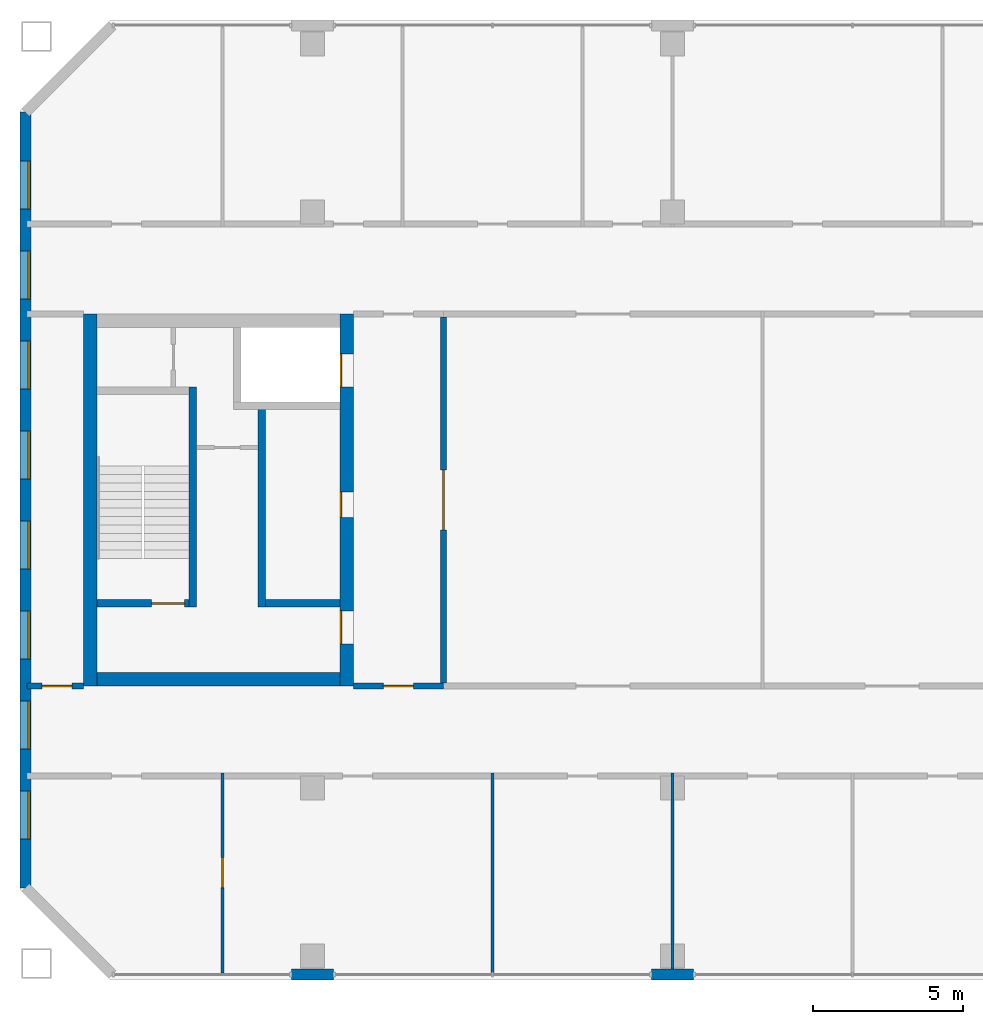
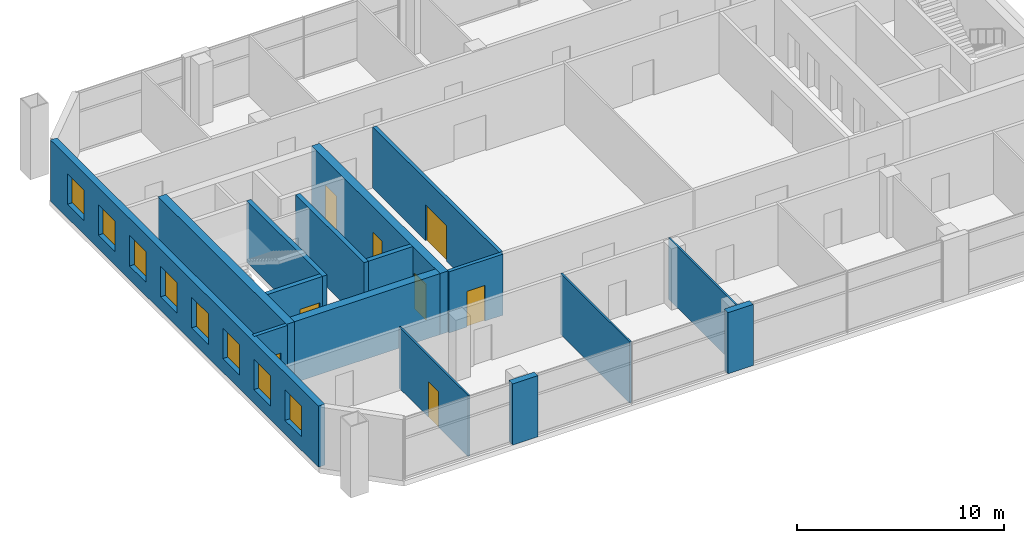
# One storey, part 10 of 19: 16 walls, 8 doors, 8 windows, 16 openings.
"""IFC4 building model written with IfcOpenShell, lengths in metres."""

from ifc_helpers import new_model, si_unit, direction, frame, frame_2d, origin, place, context, subcontext, project, spatial, rectangle, extrude, material, layer, layer_set, type_object, element, fill, save


model = new_model("IFC4")

# Units and contexts
model_context = context("Model", 3, precision=1e-05, world=origin(), true_north=direction((0.0, 1.0)))
body_context = subcontext(model_context, "Body", "Model", "MODEL_VIEW")
ifc_project = project(units=[si_unit("LENGTHUNIT", "METRE"), si_unit("AREAUNIT", "SQUARE_METRE"), si_unit("VOLUMEUNIT", "CUBIC_METRE"), si_unit("PLANEANGLEUNIT", "RADIAN"), si_unit("MASSUNIT", "GRAM", prefix="KILO")], contexts=[model_context])

# Site, building, storey
site_placement = place(None, origin())
site = spatial("IfcSite", under=ifc_project, at=site_placement, CompositionType="ELEMENT")
building_placement = place(site_placement, origin())
building = spatial("IfcBuilding", under=site, at=building_placement, Name="Tuart Gate Housing", CompositionType="ELEMENT")
storey_placement = place(building_placement, frame((0.0, 0.0, 171.60009765625)))
storey = spatial("IfcBuildingStorey", under=building, at=storey_placement, Name="L48", CompositionType="ELEMENT", Elevation=171.60009765625)

# Walls
ifc_material_1 = material(Name="Brick", Category="masonry")
ifc_layer_1 = layer(ifc_material_1, 0.360107421875)
ifc_layer_set_1 = layer_set([ifc_layer_1], Name="Brick pier and spandrel wall 360")
wall_type_1 = type_object("IfcWallType", Name="Brick pier and spandrel wall 360", PredefinedType="STANDARD", material=ifc_layer_set_1)
for number, where, z_axis, x_axis, name in (
    (1, (39.300048828125, 54.179931640625, 0.0), (0.0, 0.0, 1.0), (1.0, 0.0, 0.0), "External wall A-S L48"),
    (2, (51.300048828125, 54.179931640625, 0.0), (0.0, 0.0, 1.0), (1.0, 0.0, 0.0), "External wall A-S L48"),
):
    element("IfcWall", number, at=place(storey_placement, frame(where, z_axis=z_axis, x_axis=x_axis)), inside=storey, type_object=wall_type_1, Name=name, PredefinedType="STANDARD", context=body_context, shape_type="SweptSolid", body=[
        extrude(rectangle(XDim=1.39990234375, YDim=0.360107421875, at=frame_2d((0.699951171875, 0.0))), origin(), (0.0, 0.0, 1.0), 3.599853515625),
    ])

# Wall, openings, windows
wall_1_placement = place(storey_placement, frame((30.429931640625, 82.92529296875, 0.0), z_axis=(0.0, 0.0, 1.0), x_axis=(0.0, -1.0, 0.0)))
wall_1 = element("IfcWall", 3, at=wall_1_placement, inside=storey, type_object=wall_type_1, Name="External wall A-W L48", PredefinedType="STANDARD", context=body_context, shape_type="SweptSolid", body=[
    extrude(rectangle(XDim=25.850830078125, YDim=0.360107421875, at=frame_2d((12.92529296875, 0.0))), origin(), (0.0, 0.0, 1.0), 3.599853515625),
])
opening_1_placement = place(wall_1_placement, frame((1.62548828125, 0.0, 0.800048828125)))
opening_1 = element("IfcOpeningElement", 4, at=opening_1_placement, cuts=wall_1, Name="Opening W1", PredefinedType="OPENING", context=body_context, shape_type="SweptSolid", body=[
    extrude(rectangle(XDim=1.60009765625, YDim=1.800048828125, at=frame_2d((0.800048828125, 0.89990234375))), frame((0.0, 0.18994140625, 0.0), z_axis=(0.0, -1.0, 0.0), x_axis=(1.0, 0.0, 0.0)), (0.0, 0.0, 1.0), 0.380126953125),
])
opening_2_placement = place(wall_1_placement, frame((4.62548828125, 0.0, 0.800048828125)))
opening_2 = element("IfcOpeningElement", 5, at=opening_2_placement, cuts=wall_1, Name="Opening W1", PredefinedType="OPENING", context=body_context, shape_type="SweptSolid", body=[
    extrude(rectangle(XDim=1.60009765625, YDim=1.800048828125, at=frame_2d((0.800048828125, 0.89990234375))), frame((0.0, 0.18994140625, 0.0), z_axis=(0.0, -1.0, 0.0), x_axis=(1.0, 0.0, 0.0)), (0.0, 0.0, 1.0), 0.380126953125),
])
opening_3_placement = place(wall_1_placement, frame((7.62548828125, 0.0, 0.800048828125)))
opening_3 = element("IfcOpeningElement", 6, at=opening_3_placement, cuts=wall_1, Name="Opening W1", PredefinedType="OPENING", context=body_context, shape_type="SweptSolid", body=[
    extrude(rectangle(XDim=1.60009765625, YDim=1.800048828125, at=frame_2d((0.800048828125, 0.89990234375))), frame((0.0, 0.18994140625, 0.0), z_axis=(0.0, -1.0, 0.0), x_axis=(1.0, 0.0, 0.0)), (0.0, 0.0, 1.0), 0.380126953125),
])
opening_4_placement = place(wall_1_placement, frame((10.62548828125, 0.0, 0.800048828125)))
opening_4 = element("IfcOpeningElement", 7, at=opening_4_placement, cuts=wall_1, Name="Opening W1", PredefinedType="OPENING", context=body_context, shape_type="SweptSolid", body=[
    extrude(rectangle(XDim=1.60009765625, YDim=1.800048828125, at=frame_2d((0.800048828125, 0.89990234375))), frame((0.0, 0.18994140625, 0.0), z_axis=(0.0, -1.0, 0.0), x_axis=(1.0, 0.0, 0.0)), (0.0, 0.0, 1.0), 0.380126953125),
])
opening_5_placement = place(wall_1_placement, frame((13.62548828125, 0.0, 0.800048828125)))
opening_5 = element("IfcOpeningElement", 8, at=opening_5_placement, cuts=wall_1, Name="Opening W1", PredefinedType="OPENING", context=body_context, shape_type="SweptSolid", body=[
    extrude(rectangle(XDim=1.60009765625, YDim=1.800048828125, at=frame_2d((0.800048828125, 0.89990234375))), frame((0.0, 0.18994140625, 0.0), z_axis=(0.0, -1.0, 0.0), x_axis=(1.0, 0.0, 0.0)), (0.0, 0.0, 1.0), 0.380126953125),
])
opening_6_placement = place(wall_1_placement, frame((16.62548828125, 0.0, 0.800048828125)))
opening_6 = element("IfcOpeningElement", 9, at=opening_6_placement, cuts=wall_1, Name="Opening W1", PredefinedType="OPENING", context=body_context, shape_type="SweptSolid", body=[
    extrude(rectangle(XDim=1.60009765625, YDim=1.800048828125, at=frame_2d((0.800048828125, 0.89990234375))), frame((0.0, 0.18994140625, 0.0), z_axis=(0.0, -1.0, 0.0), x_axis=(1.0, 0.0, 0.0)), (0.0, 0.0, 1.0), 0.380126953125),
])
opening_7_placement = place(wall_1_placement, frame((19.62548828125, 0.0, 0.800048828125)))
opening_7 = element("IfcOpeningElement", 10, at=opening_7_placement, cuts=wall_1, Name="Opening W1", PredefinedType="OPENING", context=body_context, shape_type="SweptSolid", body=[
    extrude(rectangle(XDim=1.60009765625, YDim=1.800048828125, at=frame_2d((0.800048828125, 0.89990234375))), frame((0.0, 0.18994140625, 0.0), z_axis=(0.0, -1.0, 0.0), x_axis=(1.0, 0.0, 0.0)), (0.0, 0.0, 1.0), 0.380126953125),
])
opening_8_placement = place(wall_1_placement, frame((22.62548828125, 0.0, 0.800048828125)))
opening_8 = element("IfcOpeningElement", 11, at=opening_8_placement, cuts=wall_1, Name="Opening W1", PredefinedType="OPENING", context=body_context, shape_type="SweptSolid", body=[
    extrude(rectangle(XDim=1.60009765625, YDim=1.800048828125, at=frame_2d((0.800048828125, 0.89990234375))), frame((0.0, 0.18994140625, 0.0), z_axis=(0.0, -1.0, 0.0), x_axis=(1.0, 0.0, 0.0)), (0.0, 0.0, 1.0), 0.380126953125),
])
ifc_material_2 = material(Name="Aluminium frame with clear glass", Category="aluminium")
window_type = type_object("IfcWindowType", Name="Punched window 1600 x 1800", PartitioningType="SINGLE_PANEL", PredefinedType="WINDOW", material=ifc_material_2)
window_1_placement = place(opening_1_placement, origin())
window_1 = element("IfcWindow", 12, at=window_1_placement, inside=storey, type_object=window_type, Name="Window W1", OverallHeight=1.800048828125, OverallWidth=1.60009765625, PartitioningType="SINGLE_PANEL", PredefinedType="WINDOW", context=body_context, shape_type="SweptSolid", body=[
    extrude(rectangle(XDim=1.60009765625, YDim=1.800048828125, at=frame_2d((0.800048828125, 0.89990234375))), frame((0.0, 0.150146484375, 0.0), z_axis=(0.0, -1.0, 0.0), x_axis=(1.0, 0.0, 0.0)), (0.0, 0.0, 1.0), 0.06005859375),
])
fill(opening_1, window_1)
window_2_placement = place(opening_2_placement, origin())
window_2 = element("IfcWindow", 13, at=window_2_placement, inside=storey, type_object=window_type, Name="Window W1", OverallHeight=1.800048828125, OverallWidth=1.60009765625, PartitioningType="SINGLE_PANEL", PredefinedType="WINDOW", context=body_context, shape_type="SweptSolid", body=[
    extrude(rectangle(XDim=1.60009765625, YDim=1.800048828125, at=frame_2d((0.800048828125, 0.89990234375))), frame((0.0, 0.150146484375, 0.0), z_axis=(0.0, -1.0, 0.0), x_axis=(1.0, 0.0, 0.0)), (0.0, 0.0, 1.0), 0.06005859375),
])
fill(opening_2, window_2)
window_3_placement = place(opening_3_placement, origin())
window_3 = element("IfcWindow", 14, at=window_3_placement, inside=storey, type_object=window_type, Name="Window W1", OverallHeight=1.800048828125, OverallWidth=1.60009765625, PartitioningType="SINGLE_PANEL", PredefinedType="WINDOW", context=body_context, shape_type="SweptSolid", body=[
    extrude(rectangle(XDim=1.60009765625, YDim=1.800048828125, at=frame_2d((0.800048828125, 0.89990234375))), frame((0.0, 0.150146484375, 0.0), z_axis=(0.0, -1.0, 0.0), x_axis=(1.0, 0.0, 0.0)), (0.0, 0.0, 1.0), 0.06005859375),
])
fill(opening_3, window_3)
window_4_placement = place(opening_4_placement, origin())
window_4 = element("IfcWindow", 15, at=window_4_placement, inside=storey, type_object=window_type, Name="Window W1", OverallHeight=1.800048828125, OverallWidth=1.60009765625, PartitioningType="SINGLE_PANEL", PredefinedType="WINDOW", context=body_context, shape_type="SweptSolid", body=[
    extrude(rectangle(XDim=1.60009765625, YDim=1.800048828125, at=frame_2d((0.800048828125, 0.89990234375))), frame((0.0, 0.150146484375, 0.0), z_axis=(0.0, -1.0, 0.0), x_axis=(1.0, 0.0, 0.0)), (0.0, 0.0, 1.0), 0.06005859375),
])
fill(opening_4, window_4)
window_5_placement = place(opening_5_placement, origin())
window_5 = element("IfcWindow", 16, at=window_5_placement, inside=storey, type_object=window_type, Name="Window W1", OverallHeight=1.800048828125, OverallWidth=1.60009765625, PartitioningType="SINGLE_PANEL", PredefinedType="WINDOW", context=body_context, shape_type="SweptSolid", body=[
    extrude(rectangle(XDim=1.60009765625, YDim=1.800048828125, at=frame_2d((0.800048828125, 0.89990234375))), frame((0.0, 0.150146484375, 0.0), z_axis=(0.0, -1.0, 0.0), x_axis=(1.0, 0.0, 0.0)), (0.0, 0.0, 1.0), 0.06005859375),
])
fill(opening_5, window_5)
window_6_placement = place(opening_6_placement, origin())
window_6 = element("IfcWindow", 17, at=window_6_placement, inside=storey, type_object=window_type, Name="Window W1", OverallHeight=1.800048828125, OverallWidth=1.60009765625, PartitioningType="SINGLE_PANEL", PredefinedType="WINDOW", context=body_context, shape_type="SweptSolid", body=[
    extrude(rectangle(XDim=1.60009765625, YDim=1.800048828125, at=frame_2d((0.800048828125, 0.89990234375))), frame((0.0, 0.150146484375, 0.0), z_axis=(0.0, -1.0, 0.0), x_axis=(1.0, 0.0, 0.0)), (0.0, 0.0, 1.0), 0.06005859375),
])
fill(opening_6, window_6)
window_7_placement = place(opening_7_placement, origin())
window_7 = element("IfcWindow", 18, at=window_7_placement, inside=storey, type_object=window_type, Name="Window W1", OverallHeight=1.800048828125, OverallWidth=1.60009765625, PartitioningType="SINGLE_PANEL", PredefinedType="WINDOW", context=body_context, shape_type="SweptSolid", body=[
    extrude(rectangle(XDim=1.60009765625, YDim=1.800048828125, at=frame_2d((0.800048828125, 0.89990234375))), frame((0.0, 0.150146484375, 0.0), z_axis=(0.0, -1.0, 0.0), x_axis=(1.0, 0.0, 0.0)), (0.0, 0.0, 1.0), 0.06005859375),
])
fill(opening_7, window_7)
window_8_placement = place(opening_8_placement, origin())
window_8 = element("IfcWindow", 19, at=window_8_placement, inside=storey, type_object=window_type, Name="Window W1", OverallHeight=1.800048828125, OverallWidth=1.60009765625, PartitioningType="SINGLE_PANEL", PredefinedType="WINDOW", context=body_context, shape_type="SweptSolid", body=[
    extrude(rectangle(XDim=1.60009765625, YDim=1.800048828125, at=frame_2d((0.800048828125, 0.89990234375))), frame((0.0, 0.150146484375, 0.0), z_axis=(0.0, -1.0, 0.0), x_axis=(1.0, 0.0, 0.0)), (0.0, 0.0, 1.0), 0.06005859375),
])
fill(opening_8, window_8)

# Wall
ifc_material_3 = material(Name="Concrete C40", Category="concrete")
ifc_layer_2 = layer(ifc_material_3, 0.25)
ifc_layer_set_2 = layer_set([ifc_layer_2], Name="Core wall 250 C40")
wall_type_2 = type_object("IfcWallType", Name="Core wall 250 C40", PredefinedType="SHEAR", material=ifc_layer_set_2)
wall_2_placement = place(storey_placement, frame((40.909912109375, 66.550048828125, 0.0), z_axis=(0.0, 0.0, 1.0), x_axis=(-1.0, 0.0, 0.0)))
element("IfcWall", 20, at=wall_2_placement, inside=storey, type_object=wall_type_2, Name="Core wall AK.4", PredefinedType="SHEAR", context=body_context, shape_type="SweptSolid", body=[
    extrude(rectangle(XDim=2.474853515625, YDim=0.25, at=frame_2d((1.2373046875, 0.0))), origin(), (0.0, 0.0, 1.0), 3.599853515625),
])

# Wall, opening, door
wall_3_placement = place(storey_placement, frame((35.885009765625, 66.550048828125, 0.0), z_axis=(0.0, 0.0, 1.0), x_axis=(-1.0, 0.0, 0.0)))
wall_3 = element("IfcWall", 21, at=wall_3_placement, inside=storey, type_object=wall_type_2, Name="Core wall AK.5", PredefinedType="SHEAR", context=body_context, shape_type="SweptSolid", body=[
    extrude(rectangle(XDim=3.074951171875, YDim=0.25, at=frame_2d((1.53759765625, 0.0))), origin(), (0.0, 0.0, 1.0), 3.599853515625),
])
opening_9_placement = place(wall_3_placement, frame((0.14990234375, 0.0, 0.0)))
opening_9 = element("IfcOpeningElement", 22, at=opening_9_placement, cuts=wall_3, Name="Opening D230", PredefinedType="OPENING", context=body_context, shape_type="SweptSolid", body=[
    extrude(rectangle(XDim=1.10009765625, YDim=2.10009765625, at=frame_2d((0.550048828125, 1.050048828125))), frame((0.0, 0.135009765625, 0.0), z_axis=(0.0, -1.0, 0.0), x_axis=(1.0, 0.0, 0.0)), (0.0, 0.0, 1.0), 0.27001953125),
])
ifc_material_4 = material(Name="Steel fire door", Category="steel")
door_type_1 = type_object("IfcDoorType", Name="Stair door 1100 x 2100 RH", OperationType="SINGLE_SWING_RIGHT", PredefinedType="DOOR", material=ifc_material_4)
door_1_placement = place(opening_9_placement, frame((1.10009765625, 0.0, 0.0), z_axis=(0.0, 0.0, 1.0), x_axis=(-1.0, 0.0, 0.0)))
door_1 = element("IfcDoor", 23, at=door_1_placement, inside=storey, type_object=door_type_1, Name="Stair door AK.SD", OperationType="SINGLE_SWING_RIGHT", OverallHeight=2.10009765625, OverallWidth=1.10009765625, PredefinedType="DOOR", context=body_context, shape_type="SweptSolid", body=[
    extrude(rectangle(XDim=1.10009765625, YDim=2.10009765625, at=frame_2d((0.550048828125, 1.050048828125))), frame((0.0, 0.025146484375, 0.0), z_axis=(0.0, -1.0, 0.0), x_axis=(1.0, 0.0, 0.0)), (0.0, 0.0, 1.0), 0.050048828125),
])
fill(opening_9, door_1)

# Walls
wall_4_placement = place(storey_placement, frame((38.31005859375, 73.02490234375, 0.0), z_axis=(0.0, 0.0, 1.0), x_axis=(0.0, -1.0, 0.0)))
element("IfcWall", 24, at=wall_4_placement, inside=storey, type_object=wall_type_2, Name="Core wall AK.6", PredefinedType="SHEAR", context=body_context, shape_type="SweptSolid", body=[
    extrude(rectangle(XDim=6.599853515625, YDim=0.25, at=frame_2d((3.2998046875, 0.0))), origin(), (0.0, 0.0, 1.0), 3.599853515625),
])
wall_5_placement = place(storey_placement, frame((36.010009765625, 73.77490234375, 0.0), z_axis=(0.0, 0.0, 1.0), x_axis=(0.0, -1.0, 0.0)))
element("IfcWall", 25, at=wall_5_placement, inside=storey, type_object=wall_type_2, Name="Core wall AK.8", PredefinedType="SHEAR", context=body_context, shape_type="SweptSolid", body=[
    extrude(rectangle(XDim=7.349853515625, YDim=0.25, at=frame_2d((3.6748046875, 0.0))), origin(), (0.0, 0.0, 1.0), 3.599853515625),
])

# Wall, openings, doors
ifc_material_5 = material(Name="Concrete C40", Category="concrete")
ifc_layer_3 = layer(ifc_material_5, 0.449951171875)
ifc_layer_set_3 = layer_set([ifc_layer_3], Name="Core wall 450 C40")
wall_type_3 = type_object("IfcWallType", Name="Core wall 450 C40", PredefinedType="SHEAR", material=ifc_layer_set_3)
wall_6_placement = place(storey_placement, frame((41.135009765625, 76.199951171875, 0.0), z_axis=(0.0, 0.0, 1.0), x_axis=(0.0, -1.0, 0.0)))
wall_6 = element("IfcWall", 26, at=wall_6_placement, inside=storey, type_object=wall_type_3, Name="Core wall AK front", PredefinedType="SHEAR", context=body_context, shape_type="SweptSolid", body=[
    extrude(rectangle(XDim=12.39990234375, YDim=0.449951171875, at=frame_2d((6.199951171875, 0.0))), origin(), (0.0, 0.0, 1.0), 3.599853515625),
])
opening_10_placement = place(wall_6_placement, frame((1.324951171875, 0.0, 0.0)))
opening_10 = element("IfcOpeningElement", 27, at=opening_10_placement, cuts=wall_6, Name="Opening LD-FA2", PredefinedType="OPENING", context=body_context, shape_type="SweptSolid", body=[
    extrude(rectangle(XDim=1.10009765625, YDim=2.10009765625, at=frame_2d((0.550048828125, 1.050048828125))), frame((0.0, 0.23486328125, 0.0), z_axis=(0.0, -1.0, 0.0), x_axis=(1.0, 0.0, 0.0)), (0.0, 0.0, 1.0), 0.469970703125),
])
opening_11_placement = place(wall_6_placement, frame((5.925048828125, 0.0, 0.0)))
opening_11 = element("IfcOpeningElement", 28, at=opening_11_placement, cuts=wall_6, Name="Opening D225", PredefinedType="OPENING", context=body_context, shape_type="SweptSolid", body=[
    extrude(rectangle(XDim=0.85009765625, YDim=2.10009765625, at=frame_2d((0.425048828125, 1.050048828125))), frame((0.0, 0.23486328125, 0.0), z_axis=(0.0, -1.0, 0.0), x_axis=(1.0, 0.0, 0.0)), (0.0, 0.0, 1.0), 0.469970703125),
])
opening_12_placement = place(wall_6_placement, frame((9.89990234375, 0.0, 0.0)))
opening_12 = element("IfcOpeningElement", 29, at=opening_12_placement, cuts=wall_6, Name="Opening D224", PredefinedType="OPENING", context=body_context, shape_type="SweptSolid", body=[
    extrude(rectangle(XDim=1.10009765625, YDim=2.10009765625, at=frame_2d((0.550048828125, 1.050048828125))), frame((0.0, 0.23486328125, 0.0), z_axis=(0.0, -1.0, 0.0), x_axis=(1.0, 0.0, 0.0)), (0.0, 0.0, 1.0), 0.469970703125),
])
ifc_material_6 = material(Name="Stainless steel", Category="steel")
door_type_2 = type_object("IfcDoorType", Name="Landing door 1100 x 2100", OperationType="DOUBLE_DOOR_SLIDING", PredefinedType="DOOR", material=ifc_material_6)
door_2_placement = place(opening_10_placement, origin())
door_2 = element("IfcDoor", 30, at=door_2_placement, inside=storey, type_object=door_type_2, Name="Lift landing door FA2", OperationType="DOUBLE_DOOR_SLIDING", OverallHeight=2.10009765625, OverallWidth=1.10009765625, PredefinedType="DOOR", context=body_context, shape_type="SweptSolid", body=[
    extrude(rectangle(XDim=1.10009765625, YDim=2.10009765625, at=frame_2d((0.550048828125, 1.050048828125))), frame((0.0, -0.16015625, 0.0), z_axis=(0.0, -1.0, 0.0), x_axis=(1.0, 0.0, 0.0)), (0.0, 0.0, 1.0), 0.050048828125),
])
fill(opening_10, door_2)
ifc_material_7 = material(Name="Steel fire door", Category="steel")
door_type_3 = type_object("IfcDoorType", Name="Lobby door 1100 x 2100 RH", OperationType="SINGLE_SWING_RIGHT", PredefinedType="DOOR", material=ifc_material_7)
door_3_placement = place(opening_12_placement, frame((1.10009765625, 0.0, 0.0), z_axis=(0.0, 0.0, 1.0), x_axis=(-1.0, 0.0, 0.0)))
door_3 = element("IfcDoor", 31, at=door_3_placement, inside=storey, type_object=door_type_3, Name="Lobby entry door AK.EN", OperationType="SINGLE_SWING_RIGHT", OverallHeight=2.10009765625, OverallWidth=1.10009765625, PredefinedType="DOOR", context=body_context, shape_type="SweptSolid", body=[
    extrude(rectangle(XDim=1.10009765625, YDim=2.10009765625, at=frame_2d((0.550048828125, 1.050048828125))), frame((0.0, 0.210205078125, 0.0), z_axis=(0.0, -1.0, 0.0), x_axis=(1.0, 0.0, 0.0)), (0.0, 0.0, 1.0), 0.050048828125),
])
fill(opening_12, door_3)
ifc_material_8 = material(Name="Steel fire door", Category="steel")
door_type_4 = type_object("IfcDoorType", Name="Service door 850 x 2100 RH", OperationType="SINGLE_SWING_RIGHT", PredefinedType="DOOR", material=ifc_material_8)
door_4_placement = place(opening_11_placement, frame((0.85009765625, 0.0, 0.0), z_axis=(0.0, 0.0, 1.0), x_axis=(-1.0, 0.0, 0.0)))
door_4 = element("IfcDoor", 32, at=door_4_placement, inside=storey, type_object=door_type_4, Name="Service room door AK.FR1", OperationType="SINGLE_SWING_RIGHT", OverallHeight=2.10009765625, OverallWidth=0.85009765625, PredefinedType="DOOR", context=body_context, shape_type="SweptSolid", body=[
    extrude(rectangle(XDim=0.85009765625, YDim=2.10009765625, at=frame_2d((0.425048828125, 1.050048828125))), frame((0.0, 0.210205078125, 0.0), z_axis=(0.0, -1.0, 0.0), x_axis=(1.0, 0.0, 0.0)), (0.0, 0.0, 1.0), 0.050048828125),
])
fill(opening_11, door_4)

# Walls
wall_7_placement = place(storey_placement, frame((32.5849609375, 76.199951171875, 0.0), z_axis=(0.0, 0.0, 1.0), x_axis=(0.0, -1.0, 0.0)))
element("IfcWall", 33, at=wall_7_placement, inside=storey, type_object=wall_type_3, Name="Core wall AK back", PredefinedType="SHEAR", context=body_context, shape_type="SweptSolid", body=[
    extrude(rectangle(XDim=12.39990234375, YDim=0.449951171875, at=frame_2d((6.199951171875, 0.0))), origin(), (0.0, 0.0, 1.0), 3.599853515625),
])
wall_8_placement = place(storey_placement, frame((40.909912109375, 64.02490234375, 0.0), z_axis=(0.0, 0.0, 1.0), x_axis=(-1.0, 0.0, 0.0)))
element("IfcWall", 34, at=wall_8_placement, inside=storey, type_object=wall_type_3, Name="Core wall AK north", PredefinedType="SHEAR", context=body_context, shape_type="SweptSolid", body=[
    extrude(rectangle(XDim=8.099853515625, YDim=0.449951171875, at=frame_2d((4.0498046875, 0.0))), origin(), (0.0, 0.0, 1.0), 3.599853515625),
])

# Wall, opening, door
ifc_material_9 = material(Name="Concrete masonry 15 MPa", Category="masonry")
ifc_layer_4 = layer(ifc_material_9, 0.199951171875)
ifc_layer_set_4 = layer_set([ifc_layer_4], Name="Corridor wall masonry 200")
wall_type_4 = type_object("IfcWallType", Name="Corridor wall masonry 200", PredefinedType="PARTITIONING", material=ifc_layer_set_4)
wall_9_placement = place(storey_placement, frame((30.489990234375, 63.800048828125, 0.0), z_axis=(0.0, 0.0, 1.0), x_axis=(1.0, 0.0, 0.0)))
wall_9 = element("IfcWall", 35, at=wall_9_placement, inside=storey, type_object=wall_type_4, Name="Corridor wall masonry 200", PredefinedType="PARTITIONING", context=body_context, shape_type="SweptSolid", body=[
    extrude(rectangle(XDim=1.8701171875, YDim=0.199951171875, at=frame_2d((0.93505859375, 0.0))), origin(), (0.0, 0.0, 1.0), 3.599853515625),
])
opening_13_placement = place(wall_9_placement, frame((0.4951171875, 0.0, 0.0)))
opening_13 = element("IfcOpeningElement", 36, at=opening_13_placement, cuts=wall_9, Name="Opening D231", PredefinedType="OPENING", context=body_context, shape_type="SweptSolid", body=[
    extrude(rectangle(XDim=1.0, YDim=2.10009765625, at=frame_2d((0.5, 1.050048828125))), frame((0.0, 0.10986328125, 0.0), z_axis=(0.0, -1.0, 0.0), x_axis=(1.0, 0.0, 0.0)), (0.0, 0.0, 1.0), 0.219970703125),
])
ifc_material_10 = material(Name="Timber door leaf in steel frame", Category="steel")
door_type_5 = type_object("IfcDoorType", Name="Fire door 1000", OperationType="SINGLE_SWING_LEFT", PredefinedType="DOOR", material=ifc_material_10)
door_5_placement = place(opening_13_placement, origin())
door_5 = element("IfcDoor", 37, at=door_5_placement, inside=storey, type_object=door_type_5, Name="Fire door 1000", OperationType="SINGLE_SWING_LEFT", OverallHeight=2.10009765625, OverallWidth=1.0, PredefinedType="DOOR", context=body_context, shape_type="SweptSolid", body=[
    extrude(rectangle(XDim=1.0, YDim=2.10009765625, at=frame_2d((0.5, 1.050048828125))), frame((0.0, 0.02490234375, 0.0), z_axis=(0.0, -1.0, 0.0), x_axis=(1.0, 0.0, 0.0)), (0.0, 0.0, 1.0), 0.050048828125),
])
fill(opening_13, door_5)

ifc_material_11 = material(Name="Concrete masonry 15 MPa", Category="masonry")
ifc_layer_5 = layer(ifc_material_11, 0.199951171875)
ifc_layer_set_5 = layer_set([ifc_layer_5], Name="Enclosure wall masonry 200")
wall_type_5 = type_object("IfcWallType", Name="Enclosure wall masonry 200", PredefinedType="PARTITIONING", material=ifc_layer_set_5)
wall_10_placement = place(storey_placement, frame((41.360107421875, 63.800048828125, 0.0), z_axis=(0.0, 0.0, 1.0), x_axis=(1.0, 0.0, 0.0)))
wall_10 = element("IfcWall", 38, at=wall_10_placement, inside=storey, type_object=wall_type_5, Name="Enclosure wall masonry 200", PredefinedType="PARTITIONING", context=body_context, shape_type="SweptSolid", body=[
    extrude(rectangle(XDim=3.0, YDim=0.199951171875, at=frame_2d((1.5, 0.0))), origin(), (0.0, 0.0, 1.0), 3.599853515625),
])
opening_14_placement = place(wall_10_placement, frame((1.0, 0.0, 0.0)))
opening_14 = element("IfcOpeningElement", 39, at=opening_14_placement, cuts=wall_10, Name="Opening D232", PredefinedType="OPENING", context=body_context, shape_type="SweptSolid", body=[
    extrude(rectangle(XDim=1.0, YDim=2.10009765625, at=frame_2d((0.5, 1.050048828125))), frame((0.0, 0.10986328125, 0.0), z_axis=(0.0, -1.0, 0.0), x_axis=(1.0, 0.0, 0.0)), (0.0, 0.0, 1.0), 0.219970703125),
])
ifc_material_12 = material(Name="Timber door leaf in steel frame", Category="steel")
door_type_6 = type_object("IfcDoorType", Name="Lobby door 1000 RH", OperationType="SINGLE_SWING_RIGHT", PredefinedType="DOOR", material=ifc_material_12)
door_6_placement = place(opening_14_placement, origin())
door_6 = element("IfcDoor", 40, at=door_6_placement, inside=storey, type_object=door_type_6, Name="Lobby door 1000", OperationType="SINGLE_SWING_RIGHT", OverallHeight=2.10009765625, OverallWidth=1.0, PredefinedType="DOOR", context=body_context, shape_type="SweptSolid", body=[
    extrude(rectangle(XDim=1.0, YDim=2.10009765625, at=frame_2d((0.5, 1.050048828125))), frame((0.0, 0.02490234375, 0.0), z_axis=(0.0, -1.0, 0.0), x_axis=(1.0, 0.0, 0.0)), (0.0, 0.0, 1.0), 0.050048828125),
])
fill(opening_14, door_6)

ifc_material_13 = material(Name="Plasterboard partition")
ifc_layer_6 = layer(ifc_material_13, 0.199951171875)
ifc_layer_set_6 = layer_set([ifc_layer_6], Name="Lobby wall 200")
wall_type_6 = type_object("IfcWallType", Name="Lobby wall 200", PredefinedType="PARTITIONING", material=ifc_layer_set_6)
wall_11_placement = place(storey_placement, frame((44.360107421875, 63.89990234375, 0.0), z_axis=(0.0, 0.0, 1.0), x_axis=(0.0, 1.0, 0.0)))
wall_11 = element("IfcWall", 41, at=wall_11_placement, inside=storey, type_object=wall_type_6, Name="Lift lobby wall AK", PredefinedType="PARTITIONING", context=body_context, shape_type="SweptSolid", body=[
    extrude(rectangle(XDim=12.2001953125, YDim=0.199951171875, at=frame_2d((6.10009765625, 0.0))), origin(), (0.0, 0.0, 1.0), 3.599853515625),
])
opening_15_placement = place(wall_11_placement, frame((5.10009765625, 0.0, 0.0)))
opening_15 = element("IfcOpeningElement", 42, at=opening_15_placement, cuts=wall_11, Name="Opening D226", PredefinedType="OPENING", context=body_context, shape_type="SweptSolid", body=[
    extrude(rectangle(XDim=2.0, YDim=2.10009765625, at=frame_2d((1.0, 1.050048828125))), frame((0.0, 0.10986328125, 0.0), z_axis=(0.0, -1.0, 0.0), x_axis=(1.0, 0.0, 0.0)), (0.0, 0.0, 1.0), 0.219970703125),
])
ifc_material_14 = material(Name="Steel fire door", Category="steel")
door_type_7 = type_object("IfcDoorType", Name="Smoke door 2000 x 2100", OperationType="DOUBLE_DOOR_SINGLE_SWING", PredefinedType="DOOR", material=ifc_material_14)
door_7_placement = place(opening_15_placement, origin())
door_7 = element("IfcDoor", 43, at=door_7_placement, inside=storey, type_object=door_type_7, Name="Lift lobby smoke door AK", OperationType="DOUBLE_DOOR_SINGLE_SWING", OverallHeight=2.10009765625, OverallWidth=2.0, PredefinedType="DOOR", context=body_context, shape_type="SweptSolid", body=[
    extrude(rectangle(XDim=2.0, YDim=2.10009765625, at=frame_2d((1.0, 1.050048828125))), frame((0.0, 0.02490234375, 0.0), z_axis=(0.0, -1.0, 0.0), x_axis=(1.0, 0.0, 0.0)), (0.0, 0.0, 1.0), 0.050048828125),
])
fill(opening_15, door_7)

ifc_material_15 = material(Name="Gypsum board on steel studs", Category="steel")
ifc_layer_7 = layer(ifc_material_15, 0.10009765625)
ifc_layer_set_7 = layer_set([ifc_layer_7], Name="Partition 100")
wall_type_7 = type_object("IfcWallType", Name="Partition 100", PredefinedType="PARTITIONING", material=ifc_layer_set_7)
wall_12_placement = place(storey_placement, frame((37.0, 54.239990234375, 0.0), z_axis=(0.0, 0.0, 1.0), x_axis=(0.0, 1.0, 0.0)))
wall_12 = element("IfcWall", 44, at=wall_12_placement, inside=storey, type_object=wall_type_7, Name="Partition 100", PredefinedType="PARTITIONING", context=body_context, shape_type="SweptSolid", body=[
    extrude(rectangle(XDim=6.659912109375, YDim=0.10009765625, at=frame_2d((3.330078125, 0.0))), origin(), (0.0, 0.0, 1.0), 3.599853515625),
])
opening_16_placement = place(wall_12_placement, frame((2.840087890625, 0.0, 0.0)))
opening_16 = element("IfcOpeningElement", 45, at=opening_16_placement, cuts=wall_12, Name="Opening D243", PredefinedType="OPENING", context=body_context, shape_type="SweptSolid", body=[
    extrude(rectangle(XDim=1.0, YDim=2.10009765625, at=frame_2d((0.5, 1.050048828125))), frame((0.0, 0.06005859375, 0.0), z_axis=(0.0, -1.0, 0.0), x_axis=(1.0, 0.0, 0.0)), (0.0, 0.0, 1.0), 0.1201171875),
])
ifc_material_16 = material(Name="Timber door leaf in steel frame", Category="steel")
door_type_8 = type_object("IfcDoorType", Name="Internal door 1000", OperationType="SINGLE_SWING_LEFT", PredefinedType="DOOR", material=ifc_material_16)
door_8_placement = place(opening_16_placement, frame((1.0, 0.0, 0.0), z_axis=(0.0, 0.0, 1.0), x_axis=(-1.0, 0.0, 0.0)))
door_8 = element("IfcDoor", 46, at=door_8_placement, inside=storey, type_object=door_type_8, Name="Internal door 1000", OperationType="SINGLE_SWING_LEFT", OverallHeight=2.10009765625, OverallWidth=1.0, PredefinedType="DOOR", context=body_context, shape_type="SweptSolid", body=[
    extrude(rectangle(XDim=1.0, YDim=2.10009765625, at=frame_2d((0.5, 1.050048828125))), frame((0.0, 0.025146484375, 0.0), z_axis=(0.0, -1.0, 0.0), x_axis=(1.0, 0.0, 0.0)), (0.0, 0.0, 1.0), 0.050048828125),
])
fill(opening_16, door_8)

# Walls
for number, where, z_axis, x_axis, name in (
    (47, (46.0, 54.239990234375, 0.0), (0.0, 0.0, 1.0), (0.0, 1.0, 0.0), "Partition 100"),
    (48, (52.0, 54.239990234375, 0.0), (0.0, 0.0, 1.0), (0.0, 1.0, 0.0), "Partition 100"),
):
    element("IfcWall", number, at=place(storey_placement, frame(where, z_axis=z_axis, x_axis=x_axis)), inside=storey, type_object=wall_type_7, Name=name, PredefinedType="PARTITIONING", context=body_context, shape_type="SweptSolid", body=[
        extrude(rectangle(XDim=6.659912109375, YDim=0.10009765625, at=frame_2d((3.330078125, 0.0))), origin(), (0.0, 0.0, 1.0), 3.599853515625),
    ])

save(model, "model.ifc")
